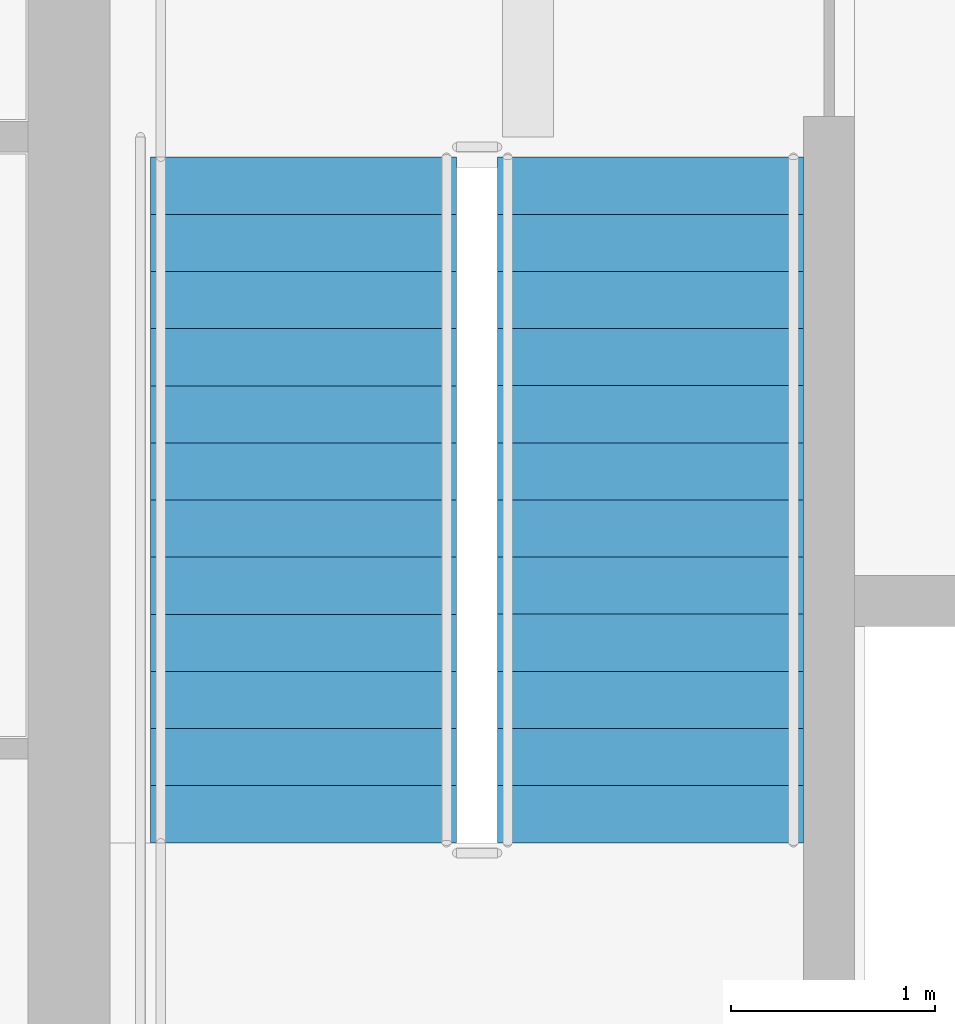
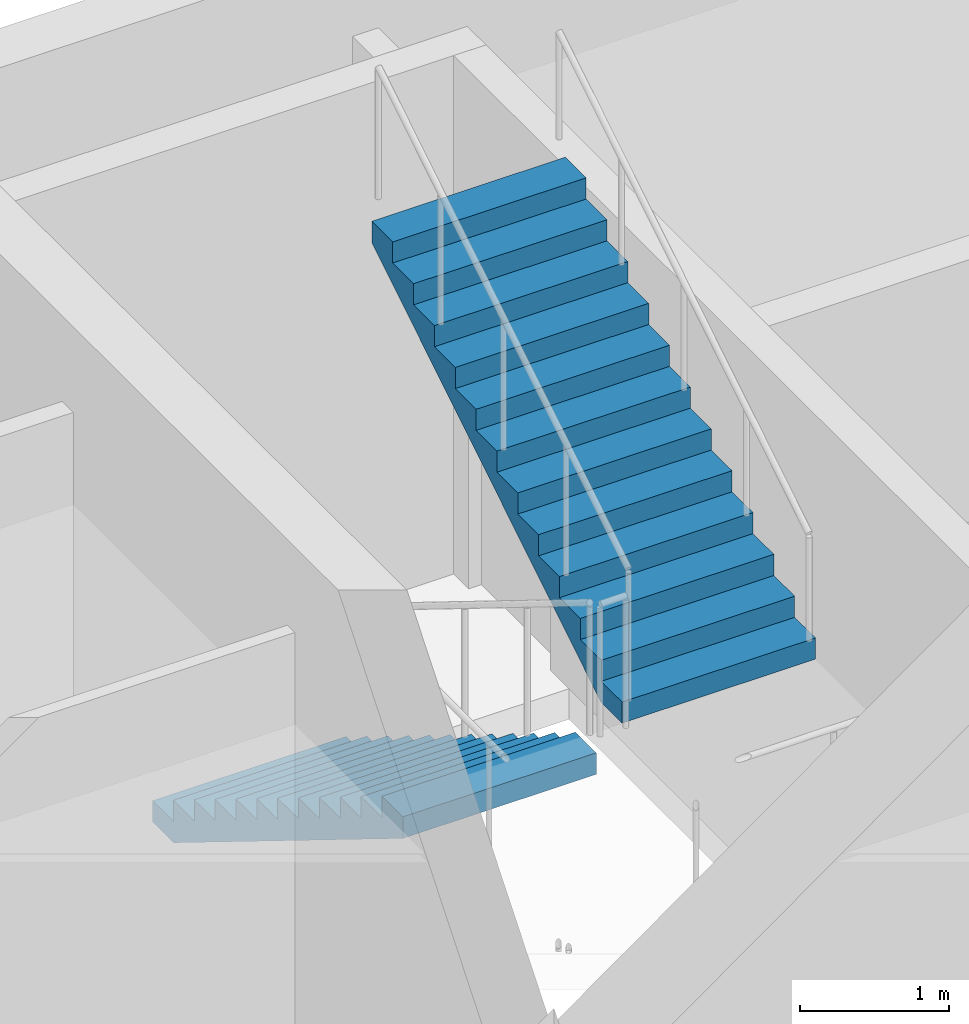
# One storey, part 61 of 92: 2 stair flights, 1 element without a shape of its own.
"""IFC4 building model written with IfcOpenShell, lengths in metres."""

from ifc_helpers import new_model, si_unit, direction, frame, origin, place, context, subcontext, project, spatial, polyline, outline, extrude, material, type_object, element, aggregate, save


model = new_model("IFC4")

# Units and contexts
model_context = context("Model", 3, precision=1e-05, world=origin(), true_north=direction((0.0, 1.0)))
body_context = subcontext(model_context, "Body", "Model", "MODEL_VIEW")
ifc_project = project(units=[si_unit("LENGTHUNIT", "METRE"), si_unit("AREAUNIT", "SQUARE_METRE"), si_unit("VOLUMEUNIT", "CUBIC_METRE"), si_unit("PLANEANGLEUNIT", "RADIAN"), si_unit("MASSUNIT", "GRAM", prefix="KILO")], contexts=[model_context])

# Site, building, storey
site_placement = place(None, origin())
site = spatial("IfcSite", under=ifc_project, at=site_placement, CompositionType="ELEMENT")
building_placement = place(site_placement, origin())
building = spatial("IfcBuilding", under=site, at=building_placement, Name="Merrow Basin Faculty of Sciences", CompositionType="ELEMENT")
storey_placement = place(building_placement, frame((0.0, 0.0, 4.5)))
storey = spatial("IfcBuildingStorey", under=building, at=storey_placement, Name="L01", CompositionType="ELEMENT", Elevation=4.5)

# Stair, stair flights
ifc_material_1 = material(Name="Concrete C40/50", Category="concrete")
stair_type = type_object("IfcStairType", Name="Concrete dog-leg stair Concrete C40/50", PredefinedType="HALF_TURN_STAIR", material=ifc_material_1)
stair_placement = place(storey_placement, origin())
stair = element("IfcStair", 1, at=stair_placement, inside=storey, type_object=stair_type, Name="L01 Exit stair N", PredefinedType="HALF_TURN_STAIR")
ifc_material_2 = material(Name="Concrete C40/50", Category="concrete")
stair_flight_type = type_object("IfcStairFlightType", Name="Concrete stair flight Concrete C40/50", PredefinedType="STRAIGHT", material=ifc_material_2)
stair_flight_1_placement = place(storey_placement, frame((64.14990234375, 129.89990234375, 0.0), z_axis=(0.0, 0.0, 1.0), x_axis=(0.0, -1.0, 0.0)))
stair_flight_1 = element("IfcStairFlight", 2, at=stair_flight_1_placement, type_object=stair_flight_type, Name="ST-V2-N flight 1", NumberOfRisers=13, NumberOfTreads=12, PredefinedType="STRAIGHT", RiserHeight=0.173076923, TreadLength=0.28, context=body_context, shape_type="SweptSolid", body=[
    extrude(outline(polyline([(0.0, 0.0), (0.0, 0.173095703125), (0.280029296875, 0.173095703125), (0.280029296875, 0.34619140625), (0.56005859375, 0.34619140625), (0.56005859375, 0.519287109375), (0.840087890625, 0.519287109375), (0.840087890625, 0.6923828125), (1.1201171875, 0.6923828125), (1.1201171875, 0.865478515625), (1.39990234375, 0.865478515625), (1.39990234375, 1.03857421875), (1.679931640625, 1.03857421875), (1.679931640625, 1.21142578125), (1.9599609375, 1.21142578125), (1.9599609375, 1.384521484375), (2.239990234375, 1.384521484375), (2.239990234375, 1.5576171875), (2.52001953125, 1.5576171875), (2.52001953125, 1.730712890625), (2.800048828125, 1.730712890625), (2.800048828125, 1.90380859375), (3.080078125, 1.90380859375), (3.080078125, 2.076904296875), (3.360107421875, 2.076904296875), (3.360107421875, 2.25), (3.360107421875, 1.900634765625), (0.28515625, 0.0), (0.0, 0.0)])), frame((0.0, 0.75, 0.0), z_axis=(0.0, -1.0, 0.0), x_axis=(1.0, 0.0, 0.0)), (0.0, 0.0, 1.0), 1.5),
])
stair_flight_2_placement = place(storey_placement, frame((65.85009765625, 126.5400390625, 2.25), z_axis=(0.0, 0.0, 1.0), x_axis=(0.0, 1.0, 0.0)))
stair_flight_2 = element("IfcStairFlight", 3, at=stair_flight_2_placement, type_object=stair_flight_type, Name="ST-V2-N flight 2", NumberOfRisers=13, NumberOfTreads=12, PredefinedType="STRAIGHT", RiserHeight=0.173076923, TreadLength=0.28, context=body_context, shape_type="SweptSolid", body=[
    extrude(outline(polyline([(0.0, 0.0), (0.0, 0.173095703125), (0.280029296875, 0.173095703125), (0.280029296875, 0.34619140625), (0.56005859375, 0.34619140625), (0.56005859375, 0.519287109375), (0.840087890625, 0.519287109375), (0.840087890625, 0.6923828125), (1.1201171875, 0.6923828125), (1.1201171875, 0.865478515625), (1.39990234375, 0.865478515625), (1.39990234375, 1.03857421875), (1.679931640625, 1.03857421875), (1.679931640625, 1.21142578125), (1.9599609375, 1.21142578125), (1.9599609375, 1.384521484375), (2.239990234375, 1.384521484375), (2.239990234375, 1.5576171875), (2.52001953125, 1.5576171875), (2.52001953125, 1.730712890625), (2.800048828125, 1.730712890625), (2.800048828125, 1.90380859375), (3.080078125, 1.90380859375), (3.080078125, 2.076904296875), (3.360107421875, 2.076904296875), (3.360107421875, 2.25), (3.360107421875, 1.900634765625), (0.28515625, 0.0), (0.0, 0.0)])), frame((0.0, 0.75, 0.0), z_axis=(0.0, -1.0, 0.0), x_axis=(1.0, 0.0, 0.0)), (0.0, 0.0, 1.0), 1.5),
])
aggregate(stair, [stair_flight_1, stair_flight_2])

save(model, "model.ifc")
